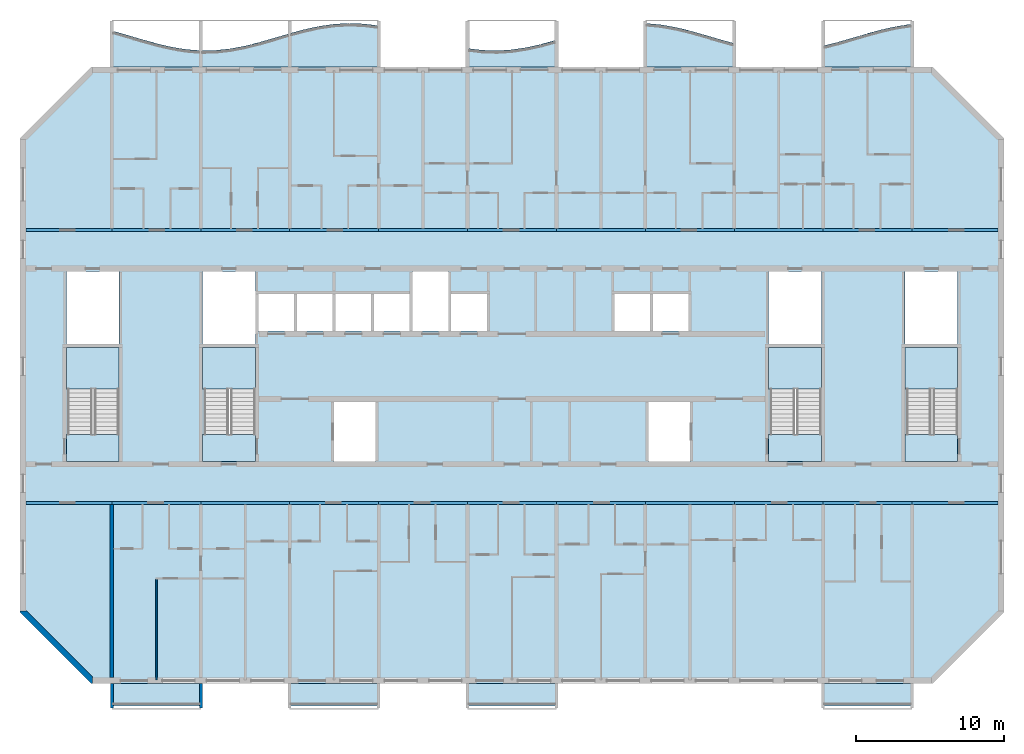
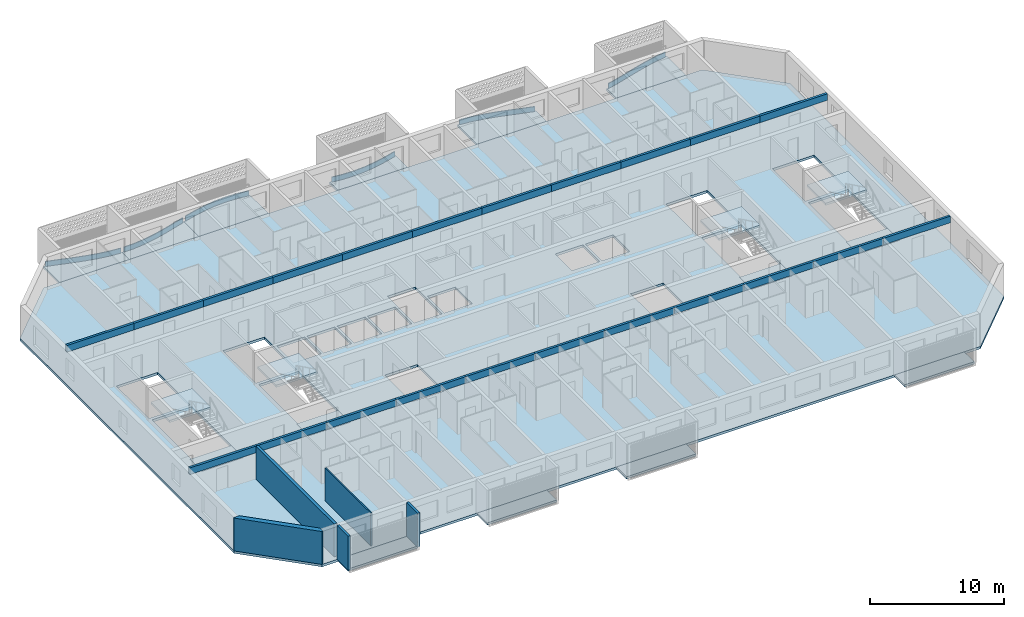
# One storey, part 1 of 27: 22 beams, 19 slabs, 6 plates, 5 walls, 4 elements without a shape of their own.
"""IFC4 building model written with IfcOpenShell, lengths in metres."""

from ifc_helpers import new_model, si_unit, direction, frame, frame_2d, origin, origin_2d, place, context, subcontext, project, spatial, polyline, rectangle, outline, extrude, source, transform, mapped, material, layer, layer_set, material_profile, profile_set, type_object, element, aggregate, save


model = new_model("IFC4")

# Units and contexts
model_context = context("Model", 3, precision=1e-05, world=origin(), true_north=direction((0.0, 1.0)))
body_context = subcontext(model_context, "Body", "Model", "MODEL_VIEW")
ifc_project = project(units=[si_unit("LENGTHUNIT", "METRE"), si_unit("AREAUNIT", "SQUARE_METRE"), si_unit("VOLUMEUNIT", "CUBIC_METRE"), si_unit("PLANEANGLEUNIT", "RADIAN"), si_unit("MASSUNIT", "GRAM", prefix="KILO")], contexts=[model_context])

# Site, building, storey
site_placement = place(None, origin())
site = spatial("IfcSite", under=ifc_project, at=site_placement, CompositionType="ELEMENT")
building_placement = place(site_placement, origin())
building = spatial("IfcBuilding", under=site, at=building_placement, Name="Poui Terraces", CompositionType="ELEMENT")
storey_placement = place(building_placement, frame((0.0, 0.0, 208.199951171875)))
storey = spatial("IfcBuildingStorey", under=building, at=storey_placement, Name="L58", CompositionType="ELEMENT", Elevation=208.199951171875)

# Beams
ifc_material_1 = material(Name="Concrete 50 MPa", Category="concrete")
ifc_material_profile = material_profile(ifc_material_1, rectangle(XDim=0.199951171875, YDim=0.60009765625, at=origin_2d()), Name="RC 200x600")
ifc_profile_set = profile_set([ifc_material_profile], Name="Concrete 50 MPa")
beam_type = type_object("IfcBeamType", Name="COUPLING BEAM 200x600 50MPa", PredefinedType="BEAM", material=ifc_profile_set)
shared_shape_1 = source(origin(), body_context, "Body", "SweptSolid", [
    extrude(rectangle(XDim=0.199951171875, YDim=0.60009765625, at=origin_2d()), origin(), (0.0, 0.0, 1.0), 5.800048828125),
])
for number, where, z_axis, x_axis, name in (
    (1, (18.199951171875, 12.0, 2.699951171875), (1.0, 0.0, 0.0), (0.0, 1.0, 0.0), "COUPLING BEAM LINE B BAY 1"),
    (2, (78.0, 12.0, 2.699951171875), (1.0, 0.0, 0.0), (0.0, 1.0, 0.0), "COUPLING BEAM LINE B BAY 11"),
    (3, (18.199951171875, 30.39990234375, 2.699951171875), (1.0, 0.0, 0.0), (0.0, 1.0, 0.0), "COUPLING BEAM LINE E BAY 1"),
    (4, (78.0, 30.39990234375, 2.699951171875), (1.0, 0.0, 0.0), (0.0, 1.0, 0.0), "COUPLING BEAM LINE E BAY 11"),
):
    element("IfcBeam", number, at=place(storey_placement, frame(where, z_axis=z_axis, x_axis=x_axis)), inside=storey, type_object=beam_type, Name=name, PredefinedType="BEAM", context=body_context, shape_type="MappedRepresentation", body=[
        mapped(shared_shape_1, transform((0.0, 0.0, 0.0))),
    ])
shared_shape_2 = source(origin(), body_context, "Body", "SweptSolid", [
    extrude(rectangle(XDim=0.199951171875, YDim=0.60009765625, at=origin_2d()), origin(), (0.0, 0.0, 1.0), 6.0),
])
for number, where, z_axis, x_axis, name in (
    (5, (24.0, 12.0, 2.699951171875), (1.0, 0.0, 0.0), (0.0, 1.0, 0.0), "COUPLING BEAM LINE B BAY 2"),
    (6, (30.0, 12.0, 2.699951171875), (1.0, 0.0, 0.0), (0.0, 1.0, 0.0), "COUPLING BEAM LINE B BAY 3"),
    (7, (36.0, 12.0, 2.699951171875), (1.0, 0.0, 0.0), (0.0, 1.0, 0.0), "COUPLING BEAM LINE B BAY 4"),
    (8, (42.0, 12.0, 2.699951171875), (1.0, 0.0, 0.0), (0.0, 1.0, 0.0), "COUPLING BEAM LINE B BAY 5"),
    (9, (48.0, 12.0, 2.699951171875), (1.0, 0.0, 0.0), (0.0, 1.0, 0.0), "COUPLING BEAM LINE B BAY 6"),
    (10, (54.0, 12.0, 2.699951171875), (1.0, 0.0, 0.0), (0.0, 1.0, 0.0), "COUPLING BEAM LINE B BAY 7"),
    (11, (60.0, 12.0, 2.699951171875), (1.0, 0.0, 0.0), (0.0, 1.0, 0.0), "COUPLING BEAM LINE B BAY 8"),
    (12, (66.0, 12.0, 2.699951171875), (1.0, 0.0, 0.0), (0.0, 1.0, 0.0), "COUPLING BEAM LINE B BAY 9"),
    (13, (72.0, 12.0, 2.699951171875), (1.0, 0.0, 0.0), (0.0, 1.0, 0.0), "COUPLING BEAM LINE B BAY 10"),
    (14, (24.0, 30.39990234375, 2.699951171875), (1.0, 0.0, 0.0), (0.0, 1.0, 0.0), "COUPLING BEAM LINE E BAY 2"),
    (15, (30.0, 30.39990234375, 2.699951171875), (1.0, 0.0, 0.0), (0.0, 1.0, 0.0), "COUPLING BEAM LINE E BAY 3"),
    (16, (36.0, 30.39990234375, 2.699951171875), (1.0, 0.0, 0.0), (0.0, 1.0, 0.0), "COUPLING BEAM LINE E BAY 4"),
    (17, (42.0, 30.39990234375, 2.699951171875), (1.0, 0.0, 0.0), (0.0, 1.0, 0.0), "COUPLING BEAM LINE E BAY 5"),
    (18, (48.0, 30.39990234375, 2.699951171875), (1.0, 0.0, 0.0), (0.0, 1.0, 0.0), "COUPLING BEAM LINE E BAY 6"),
    (19, (54.0, 30.39990234375, 2.699951171875), (1.0, 0.0, 0.0), (0.0, 1.0, 0.0), "COUPLING BEAM LINE E BAY 7"),
    (20, (60.0, 30.39990234375, 2.699951171875), (1.0, 0.0, 0.0), (0.0, 1.0, 0.0), "COUPLING BEAM LINE E BAY 8"),
    (21, (66.0, 30.39990234375, 2.699951171875), (1.0, 0.0, 0.0), (0.0, 1.0, 0.0), "COUPLING BEAM LINE E BAY 9"),
    (22, (72.0, 30.39990234375, 2.699951171875), (1.0, 0.0, 0.0), (0.0, 1.0, 0.0), "COUPLING BEAM LINE E BAY 10"),
):
    element("IfcBeam", number, at=place(storey_placement, frame(where, z_axis=z_axis, x_axis=x_axis)), inside=storey, type_object=beam_type, Name=name, PredefinedType="BEAM", context=body_context, shape_type="MappedRepresentation", body=[
        mapped(shared_shape_2, transform((0.0, 0.0, 0.0))),
    ])

# Slabs
ifc_material_2 = material(Name="Precast concrete 40 MPa", Category="concrete")
ifc_layer_1 = layer(ifc_material_2, 0.199951171875)
ifc_layer_set_1 = layer_set([ifc_layer_1], Name="Precast concrete 40 MPa")
slab_type_1 = type_object("IfcSlabType", Name="BALCONY SLAB 200", PredefinedType="FLOOR", material=ifc_layer_set_1)
slab_1_placement = place(storey_placement, frame((0.0, 0.0, -0.199951171875)))
element("IfcSlab", 23, at=slab_1_placement, inside=storey, type_object=slab_type_1, Name="BALCONY SLAB", PredefinedType="FLOOR", context=body_context, shape_type="SweptSolid", body=[
    extrude(outline(polyline([(24.0, 41.39990234375), (30.0, 41.39990234375), (30.0, 42.50537109375), (29.0, 42.583984375), (28.0, 42.749267578125), (27.0, 42.984130859375), (26.0, 43.264404296875), (25.0, 43.56103515625), (24.0, 43.84375), (24.0, 41.39990234375)])), origin(), (0.0, 0.0, 1.0), 0.199951171875),
])
slab_2_placement = place(storey_placement, frame((0.0, 0.0, -0.199951171875)))
element("IfcSlab", 24, at=slab_2_placement, inside=storey, type_object=slab_type_1, Name="BALCONY SLAB", PredefinedType="FLOOR", context=body_context, shape_type="SweptSolid", body=[
    extrude(outline(polyline([(30.0, 41.39990234375), (36.0, 41.39990234375), (36.0, 43.658447265625), (35.0, 43.363037109375), (34.0, 43.073974609375), (33.0, 42.821044921875), (32.0, 42.630126953125), (31.0, 42.521240234375), (30.0, 42.50537109375), (30.0, 41.39990234375)])), origin(), (0.0, 0.0, 1.0), 0.199951171875),
])
slab_3_placement = place(storey_placement, frame((0.0, 0.0, -0.199951171875)))
element("IfcSlab", 25, at=slab_3_placement, inside=storey, type_object=slab_type_1, Name="BALCONY SLAB", PredefinedType="FLOOR", context=body_context, shape_type="SweptSolid", body=[
    extrude(outline(polyline([(36.0, 41.39990234375), (42.0, 41.39990234375), (42.0, 44.17919921875), (41.0, 44.309814453125), (40.0, 44.349609375), (39.0, 44.294189453125), (38.0, 44.1494140625), (37.0, 43.9296875), (36.0, 43.658447265625), (36.0, 41.39990234375)])), origin(), (0.0, 0.0, 1.0), 0.199951171875),
])
slab_4_placement = place(storey_placement, frame((0.0, 0.0, -0.199951171875)))
element("IfcSlab", 26, at=slab_4_placement, inside=storey, type_object=slab_type_1, Name="BALCONY SLAB", PredefinedType="FLOOR", context=body_context, shape_type="SweptSolid", body=[
    extrude(outline(polyline([(48.0, 41.39990234375), (54.0, 41.39990234375), (54.0, 43.2158203125), (53.0, 42.941162109375), (52.0, 42.71630859375), (51.0, 42.564697265625), (50.0, 42.501220703125), (49.0, 42.533203125), (48.0, 42.65673828125), (48.0, 41.39990234375)])), origin(), (0.0, 0.0, 1.0), 0.199951171875),
])
slab_5_placement = place(storey_placement, frame((0.0, 0.0, -0.199951171875)))
element("IfcSlab", 27, at=slab_5_placement, inside=storey, type_object=slab_type_1, Name="BALCONY SLAB", PredefinedType="FLOOR", context=body_context, shape_type="SweptSolid", body=[
    extrude(outline(polyline([(60.0, 41.39990234375), (66.0, 41.39990234375), (66.0, 42.984130859375), (65.0, 43.264404296875), (64.0, 43.56103515625), (63.0, 43.84375), (62.0, 44.08349609375), (61.0, 44.25537109375), (60.0, 44.341796875), (60.0, 41.39990234375)])), origin(), (0.0, 0.0, 1.0), 0.199951171875),
])
slab_6_placement = place(storey_placement, frame((0.0, 0.0, -0.199951171875)))
element("IfcSlab", 28, at=slab_6_placement, inside=storey, type_object=slab_type_1, Name="BALCONY SLAB", PredefinedType="FLOOR", context=body_context, shape_type="SweptSolid", body=[
    extrude(outline(polyline([(72.0, 41.39990234375), (78.0, 41.39990234375), (78.0, 44.294189453125), (77.0, 44.1494140625), (76.0, 43.9296875), (75.0, 43.658447265625), (74.0, 43.363037109375), (73.0, 43.073974609375), (72.0, 42.821044921875), (72.0, 41.39990234375)])), origin(), (0.0, 0.0, 1.0), 0.199951171875),
])

# Stair, slabs
stair_type = type_object("IfcStairType", Name="EXIT STAIR 1650 50 MPA", PredefinedType="HALF_TURN_STAIR", material=ifc_material_1)
stair_1_placement = place(storey_placement, origin())
stair_1 = element("IfcStair", 29, at=stair_1_placement, inside=storey, type_object=stair_type, Name="L58 CORE STAIR EAST", PredefinedType="HALF_TURN_STAIR")
ifc_layer_2 = layer(ifc_material_1, 0.199951171875)
ifc_layer_set_2 = layer_set([ifc_layer_2], Name="Concrete 50 MPa")
slab_type_2 = type_object("IfcSlabType", Name="STAIR LANDING 200 50 MPA", PredefinedType="LANDING", material=ifc_layer_set_2)
slab_7_placement = place(storey_placement, frame((0.0, 0.0, 1.449951171875)))
slab_7 = element("IfcSlab", 30, at=slab_7_placement, type_object=slab_type_2, Name="ST-CE landing 1", PredefinedType="LANDING", context=body_context, shape_type="SweptSolid", body=[
    extrude(outline(polyline([(68.324951171875, 19.679931640625), (71.875, 19.679931640625), (71.875, 22.47509765625), (68.324951171875, 22.47509765625), (68.324951171875, 19.679931640625)])), origin(), (0.0, 0.0, 1.0), 0.2001953125),
])
slab_8_placement = place(storey_placement, frame((0.0, 0.0, -0.199951171875)))
slab_8 = element("IfcSlab", 31, at=slab_8_placement, type_object=slab_type_2, Name="ST-CE landing 2", PredefinedType="LANDING", context=body_context, shape_type="SweptSolid", body=[
    extrude(outline(polyline([(68.324951171875, 14.800048828125), (71.875, 14.800048828125), (71.875, 16.60009765625), (68.324951171875, 16.60009765625), (68.324951171875, 14.800048828125)])), origin(), (0.0, 0.0, 1.0), 0.199951171875),
])
aggregate(stair_1, [slab_7, slab_8])

stair_2_placement = place(storey_placement, origin())
stair_2 = element("IfcStair", 32, at=stair_2_placement, inside=storey, type_object=stair_type, Name="L58 CORE STAIR WEST", PredefinedType="HALF_TURN_STAIR")
slab_9_placement = place(storey_placement, frame((0.0, 0.0, 1.449951171875)))
slab_9 = element("IfcSlab", 33, at=slab_9_placement, type_object=slab_type_2, Name="ST-CW landing 1", PredefinedType="LANDING", context=body_context, shape_type="SweptSolid", body=[
    extrude(outline(polyline([(30.125, 19.679931640625), (33.675048828125, 19.679931640625), (33.675048828125, 22.47509765625), (30.125, 22.47509765625), (30.125, 19.679931640625)])), origin(), (0.0, 0.0, 1.0), 0.2001953125),
])
slab_10_placement = place(storey_placement, frame((0.0, 0.0, -0.199951171875)))
slab_10 = element("IfcSlab", 34, at=slab_10_placement, type_object=slab_type_2, Name="ST-CW landing 2", PredefinedType="LANDING", context=body_context, shape_type="SweptSolid", body=[
    extrude(outline(polyline([(30.125, 14.800048828125), (33.675048828125, 14.800048828125), (33.675048828125, 16.60009765625), (30.125, 16.60009765625), (30.125, 14.800048828125)])), origin(), (0.0, 0.0, 1.0), 0.199951171875),
])
aggregate(stair_2, [slab_9, slab_10])

stair_3_placement = place(storey_placement, origin())
stair_3 = element("IfcStair", 35, at=stair_3_placement, inside=storey, type_object=stair_type, Name="L58 TIP STAIR EAST", PredefinedType="HALF_TURN_STAIR")
slab_11_placement = place(storey_placement, frame((0.0, 0.0, 1.449951171875)))
slab_11 = element("IfcSlab", 36, at=slab_11_placement, type_object=slab_type_2, Name="ST-E landing 1", PredefinedType="LANDING", context=body_context, shape_type="SweptSolid", body=[
    extrude(outline(polyline([(77.52490234375, 19.679931640625), (81.074951171875, 19.679931640625), (81.074951171875, 22.47509765625), (77.52490234375, 22.47509765625), (77.52490234375, 19.679931640625)])), origin(), (0.0, 0.0, 1.0), 0.2001953125),
])
slab_12_placement = place(storey_placement, frame((0.0, 0.0, -0.199951171875)))
slab_12 = element("IfcSlab", 37, at=slab_12_placement, type_object=slab_type_2, Name="ST-E landing 2", PredefinedType="LANDING", context=body_context, shape_type="SweptSolid", body=[
    extrude(outline(polyline([(77.52490234375, 14.800048828125), (81.074951171875, 14.800048828125), (81.074951171875, 16.60009765625), (77.52490234375, 16.60009765625), (77.52490234375, 14.800048828125)])), origin(), (0.0, 0.0, 1.0), 0.199951171875),
])
aggregate(stair_3, [slab_11, slab_12])

stair_4_placement = place(storey_placement, origin())
stair_4 = element("IfcStair", 38, at=stair_4_placement, inside=storey, type_object=stair_type, Name="L58 TIP STAIR WEST", PredefinedType="HALF_TURN_STAIR")
slab_13_placement = place(storey_placement, frame((0.0, 0.0, 1.449951171875)))
slab_13 = element("IfcSlab", 39, at=slab_13_placement, type_object=slab_type_2, Name="ST-W landing 1", PredefinedType="LANDING", context=body_context, shape_type="SweptSolid", body=[
    extrude(outline(polyline([(20.925048828125, 19.679931640625), (24.47509765625, 19.679931640625), (24.47509765625, 22.47509765625), (20.925048828125, 22.47509765625), (20.925048828125, 19.679931640625)])), origin(), (0.0, 0.0, 1.0), 0.2001953125),
])
slab_14_placement = place(storey_placement, frame((0.0, 0.0, -0.199951171875)))
slab_14 = element("IfcSlab", 40, at=slab_14_placement, type_object=slab_type_2, Name="ST-W landing 2", PredefinedType="LANDING", context=body_context, shape_type="SweptSolid", body=[
    extrude(outline(polyline([(20.925048828125, 14.800048828125), (24.47509765625, 14.800048828125), (24.47509765625, 16.60009765625), (20.925048828125, 16.60009765625), (20.925048828125, 14.800048828125)])), origin(), (0.0, 0.0, 1.0), 0.199951171875),
])
aggregate(stair_4, [slab_13, slab_14])

# Plates
ifc_layer_3 = layer(ifc_material_2, 0.080078125)
ifc_layer_set_3 = layer_set([ifc_layer_3], Name="Precast concrete 40 MPa")
plate_type = type_object("IfcPlateType", Name="SUNSHADE UPSTAND 80", PredefinedType="SHEET", material=ifc_layer_set_3)
plate_1_placement = place(storey_placement, origin())
element("IfcPlate", 41, at=plate_1_placement, inside=storey, type_object=plate_type, Name="SUNSHADE UPSTAND", PredefinedType="SHEET", context=body_context, shape_type="SweptSolid", body=[
    extrude(outline(polyline([(25.01123046875, 43.554443359375), (24.135986328125, 43.8037109375), (24.114013671875, 43.726806640625), (24.98876953125, 43.477783203125), (25.989013671875, 43.180908203125), (26.989990234375, 42.900390625), (27.9921875, 42.6650390625), (28.9951171875, 42.499267578125), (29.87158203125, 42.42529296875), (29.87841796875, 42.5048828125), (29.0048828125, 42.578857421875), (28.0078125, 42.74365234375), (27.010009765625, 42.977783203125), (26.010986328125, 43.2578125), (25.01123046875, 43.554443359375)])), origin(), (0.0, 0.0, 1.0), 0.449951171875),
])
plate_2_placement = place(storey_placement, origin())
element("IfcPlate", 42, at=plate_2_placement, inside=storey, type_object=plate_type, Name="SUNSHADE UPSTAND", PredefinedType="SHEET", context=body_context, shape_type="SweptSolid", body=[
    extrude(outline(polyline([(30.997314453125, 42.51611328125), (30.1240234375, 42.4970703125), (30.1259765625, 42.4169921875), (31.002685546875, 42.436279296875), (32.005859375, 42.545654296875), (33.0087890625, 42.73681640625), (34.010498046875, 42.990234375), (35.01123046875, 43.279541015625), (35.886474609375, 43.538818359375), (35.863525390625, 43.615478515625), (34.98876953125, 43.356201171875), (33.989501953125, 43.0673828125), (32.9912109375, 42.81494140625), (31.994140625, 42.624755859375), (30.997314453125, 42.51611328125)])), origin(), (0.0, 0.0, 1.0), 0.449951171875),
])
plate_3_placement = place(storey_placement, origin())
element("IfcPlate", 43, at=plate_3_placement, inside=storey, type_object=plate_type, Name="SUNSHADE UPSTAND", PredefinedType="SHEET", context=body_context, shape_type="SweptSolid", body=[
    extrude(outline(polyline([(36.990478515625, 43.923583984375), (36.114501953125, 43.68798828125), (36.135498046875, 43.610595703125), (37.009521484375, 43.845947265625), (38.007080078125, 44.06494140625), (39.00390625, 44.20947265625), (40.000244140625, 44.2646484375), (40.99658203125, 44.22509765625), (41.8701171875, 44.115478515625), (41.8798828125, 44.19482421875), (41.00341796875, 44.3046875), (39.999755859375, 44.3447265625), (38.99609375, 44.2890625), (37.992919921875, 44.143798828125), (36.990478515625, 43.923583984375)])), origin(), (0.0, 0.0, 1.0), 0.449951171875),
])
plate_4_placement = place(storey_placement, origin())
element("IfcPlate", 44, at=plate_4_placement, inside=storey, type_object=plate_type, Name="SUNSHADE UPSTAND", PredefinedType="SHEET", context=body_context, shape_type="SweptSolid", body=[
    extrude(outline(polyline([(49.0029296875, 42.528076171875), (48.129638671875, 42.63134765625), (48.120361328125, 42.552001953125), (48.9970703125, 42.4482421875), (50.00048828125, 42.416259765625), (51.00439453125, 42.479736328125), (52.00732421875, 42.632080078125), (53.009521484375, 42.857421875), (53.885498046875, 43.095947265625), (53.864501953125, 43.173095703125), (52.990478515625, 42.93505859375), (51.99267578125, 42.710693359375), (50.99560546875, 42.559326171875), (49.99951171875, 42.496337890625), (49.0029296875, 42.528076171875)])), origin(), (0.0, 0.0, 1.0), 0.449951171875),
])
plate_5_placement = place(storey_placement, origin())
element("IfcPlate", 45, at=plate_5_placement, inside=storey, type_object=plate_type, Name="SUNSHADE UPSTAND", PredefinedType="SHEET", context=body_context, shape_type="SweptSolid", body=[
    extrude(outline(polyline([(61.005126953125, 44.25), (60.166259765625, 44.327392578125), (60.128662109375, 44.33056640625), (60.121337890625, 44.251220703125), (60.994873046875, 44.170654296875), (61.991943359375, 43.999267578125), (62.989990234375, 43.760009765625), (63.989013671875, 43.477783203125), (64.989013671875, 43.180908203125), (65.864013671875, 42.933837890625), (65.885986328125, 43.0107421875), (65.010986328125, 43.2578125), (64.010986328125, 43.554443359375), (63.010009765625, 43.83740234375), (62.008056640625, 44.07763671875), (61.005126953125, 44.25)])), origin(), (0.0, 0.0, 1.0), 0.449951171875),
])
plate_6_placement = place(storey_placement, origin())
element("IfcPlate", 46, at=plate_6_placement, inside=storey, type_object=plate_type, Name="SUNSHADE UPSTAND", PredefinedType="SHEET", context=body_context, shape_type="SweptSolid", body=[
    extrude(outline(polyline([(72.989501953125, 43.0673828125), (72.114990234375, 42.843505859375), (72.135009765625, 42.765869140625), (73.010498046875, 42.990234375), (74.01123046875, 43.279541015625), (75.010986328125, 43.574951171875), (76.009521484375, 43.845947265625), (77.00732421875, 44.06494140625), (77.880859375, 44.1962890625), (77.869140625, 44.275146484375), (77.8525390625, 44.272705078125), (76.99267578125, 44.143798828125), (75.990478515625, 43.923583984375), (74.989013671875, 43.65185546875), (73.98876953125, 43.356201171875), (72.989501953125, 43.0673828125)])), origin(), (0.0, 0.0, 1.0), 0.449951171875),
])

# Slabs
ifc_material_3 = material(Name="Concrete 40 MPa", Category="concrete")
ifc_layer_4 = layer(ifc_material_3, 0.219970703125)
ifc_layer_set_4 = layer_set([ifc_layer_4], Name="Concrete 40 MPa")
slab_type_3 = type_object("IfcSlabType", Name="FLOOR SLAB 220", PredefinedType="FLOOR", material=ifc_layer_set_4)
shared_shape_3 = source(origin(), body_context, "Body", "SweptSolid", [
    extrude(outline(polyline([(0.0, 0.0), (4.800048828125, -4.800048828125), (61.599853515625, -4.800048828125), (66.39990234375, 0.0), (66.39990234375, 32.0), (61.599853515625, 36.7998046875), (4.800048828125, 36.7998046875), (0.0, 32.0), (0.0, 0.0)]), holes=[polyline([(21.199951171875, 10.199951171875), (21.199951171875, 14.199951171875), (24.0, 14.199951171875), (24.0, 10.199951171875), (21.199951171875, 10.199951171875)]), polyline([(3.224853515625, 17.849853515625), (6.675048828125, 17.849853515625), (6.675048828125, 12.0), (6.675048828125, 10.199951171875), (3.125, 10.199951171875), (3.125, 12.0), (3.224853515625, 12.0), (3.224853515625, 17.849853515625)]), polyline([(12.425048828125, 17.849853515625), (15.875, 17.849853515625), (15.875, 12.0), (15.875, 10.199951171875), (12.324951171875, 10.199951171875), (12.324951171875, 12.0), (12.425048828125, 12.0), (12.425048828125, 17.849853515625)]), polyline([(16.099853515625, 19.0), (16.099853515625, 21.5), (18.5, 21.5), (18.5, 19.0), (16.099853515625, 19.0)]), polyline([(18.699951171875, 19.0), (18.699951171875, 21.5), (21.099853515625, 21.5), (21.099853515625, 19.0), (18.699951171875, 19.0)]), polyline([(21.300048828125, 19.0), (21.300048828125, 21.5), (23.699951171875, 21.5), (23.699951171875, 19.0), (21.300048828125, 19.0)]), polyline([(23.89990234375, 19.0), (23.89990234375, 21.5), (26.300048828125, 21.5), (26.300048828125, 19.0), (23.89990234375, 19.0)]), polyline([(3.125, 23.0), (6.675048828125, 23.0), (6.675048828125, 18.125), (3.125, 18.125), (3.125, 23.0)]), polyline([(12.324951171875, 23.0), (15.875, 23.0), (15.875, 18.125), (12.324951171875, 18.125), (12.324951171875, 23.0)]), polyline([(42.39990234375, 10.199951171875), (42.39990234375, 14.199951171875), (45.199951171875, 14.199951171875), (45.199951171875, 10.199951171875), (42.39990234375, 10.199951171875)]), polyline([(50.625, 17.849853515625), (54.074951171875, 17.849853515625), (54.074951171875, 12.0), (54.074951171875, 10.199951171875), (50.52490234375, 10.199951171875), (50.52490234375, 12.0), (50.625, 12.0), (50.625, 17.849853515625)]), polyline([(59.824951171875, 17.849853515625), (63.27490234375, 17.849853515625), (63.27490234375, 12.0), (63.27490234375, 10.199951171875), (59.724853515625, 10.199951171875), (59.724853515625, 12.0), (59.824951171875, 12.0), (59.824951171875, 17.849853515625)]), polyline([(29.099853515625, 19.0), (29.099853515625, 21.5), (31.5, 21.5), (31.5, 19.0), (29.099853515625, 19.0)]), polyline([(40.099853515625, 19.0), (40.099853515625, 21.5), (42.5, 21.5), (42.5, 19.0), (40.099853515625, 19.0)]), polyline([(42.699951171875, 19.0), (42.699951171875, 21.5), (45.099853515625, 21.5), (45.099853515625, 19.0), (42.699951171875, 19.0)]), polyline([(50.52490234375, 18.125), (50.52490234375, 23.0), (54.074951171875, 23.0), (54.074951171875, 18.125), (50.52490234375, 18.125)]), polyline([(59.724853515625, 23.0), (63.27490234375, 23.0), (63.27490234375, 18.125), (59.724853515625, 18.125), (59.724853515625, 23.0)]), polyline([(26.5, 23.0), (28.89990234375, 23.0), (28.89990234375, 19.0), (26.5, 19.0), (26.5, 23.0)])]), origin(), (0.0, 0.0, 1.0), 0.219970703125),
])
slab_15_placement = place(storey_placement, frame((17.800048828125, 4.60009765625, -0.219970703125)))
element("IfcSlab", 47, at=slab_15_placement, inside=storey, type_object=slab_type_3, Name="FLOOR SLAB", PredefinedType="FLOOR", context=body_context, shape_type="MappedRepresentation", body=[
    mapped(shared_shape_3, transform((0.0, 0.0, 0.0))),
])
ifc_layer_5 = layer(ifc_material_2, 0.199951171875)
ifc_layer_set_5 = layer_set([ifc_layer_5], Name="Precast concrete 40 MPa")
slab_type_4 = type_object("IfcSlabType", Name="REAR BALCONY SLAB 200", PredefinedType="FLOOR", material=ifc_layer_set_5)
shared_shape_4 = source(origin(), body_context, "Body", "SweptSolid", [
    extrude(outline(polyline([(0.0, 0.0), (6.0, 0.0), (6.0, 1.5), (0.0, 1.5), (0.0, 0.0)])), origin(), (0.0, 0.0, 1.0), 0.199951171875),
])
for number, where, name in (
    (48, (24.0, -1.699951171875, -0.199951171875), "REAR BALCONY SLAB"),
    (49, (36.0, -1.699951171875, -0.199951171875), "REAR BALCONY SLAB"),
    (50, (48.0, -1.699951171875, -0.199951171875), "REAR BALCONY SLAB"),
    (51, (72.0, -1.699951171875, -0.199951171875), "REAR BALCONY SLAB"),
):
    element("IfcSlab", number, at=place(storey_placement, frame(where)), inside=storey, type_object=slab_type_4, Name=name, PredefinedType="FLOOR", context=body_context, shape_type="MappedRepresentation", body=[
        mapped(shared_shape_4, transform((0.0, 0.0, 0.0))),
    ])

# Walls
ifc_layer_6 = layer(ifc_material_1, 0.25)
ifc_layer_set_6 = layer_set([ifc_layer_6], Name="Concrete 50 MPa")
wall_type_1 = type_object("IfcWallType", Name="CROSS WALL 250 50MPa", PredefinedType="SHEAR", material=ifc_layer_set_6)
wall_1_placement = place(storey_placement, frame((24.0, 0.199951171875, 0.0), z_axis=(0.0, 0.0, 1.0), x_axis=(0.0, 1.0, 0.0)))
element("IfcWall", 52, at=wall_1_placement, inside=storey, type_object=wall_type_1, Name="CROSS WALL LINE 5 SOUTH", PredefinedType="SHEAR", context=body_context, shape_type="SweptSolid", body=[
    extrude(rectangle(XDim=11.699951171875, YDim=0.25, at=frame_2d((5.85009765625, 0.0))), origin(), (0.0, 0.0, 1.0), 3.0),
])
ifc_material_4 = material(Name="Plasterboard partition")
ifc_layer_7 = layer(ifc_material_4, 0.10009765625)
ifc_layer_set_7 = layer_set([ifc_layer_7], Name="Plasterboard partition")
wall_type_2 = type_object("IfcWallType", Name="FLAT PARTITION 100", PredefinedType="PARTITIONING", material=ifc_layer_set_7)
wall_2_placement = place(storey_placement, frame((27.0, 0.06005859375, 0.0), z_axis=(0.0, 0.0, 1.0), x_axis=(0.0, 1.0, 0.0)))
element("IfcWall", 53, at=wall_2_placement, inside=storey, type_object=wall_type_2, Name="FLAT PARTITION 100", PredefinedType="PARTITIONING", context=body_context, shape_type="SweptSolid", body=[
    extrude(rectangle(XDim=6.7900390625, YDim=0.10009765625, at=frame_2d((3.39501953125, 0.0))), origin(), (0.0, 0.0, 1.0), 3.0),
])
ifc_layer_8 = layer(ifc_material_2, 0.39990234375)
ifc_layer_set_8 = layer_set([ifc_layer_8], Name="Precast concrete 40 MPa")
wall_type_3 = type_object("IfcWallType", Name="TERRACOTTA CLAD CHAMFER WALL 400", PredefinedType="STANDARD", material=ifc_layer_set_8)
wall_3_placement = place(storey_placement, origin())
element("IfcWall", 54, at=wall_3_placement, inside=storey, type_object=wall_type_3, Name="CHAMFER WALL CH07", PredefinedType="STANDARD", context=body_context, shape_type="SweptSolid", body=[
    extrude(outline(polyline([(17.800048828125, 4.682861328125), (17.800048828125, 4.60009765625), (22.60009765625, -0.199951171875), (22.682861328125, -0.199951171875), (22.682861328125, 0.28271484375), (18.28271484375, 4.682861328125), (17.800048828125, 4.682861328125)])), origin(), (0.0, 0.0, 1.0), 3.0),
])
ifc_layer_9 = layer(ifc_material_2, 0.199951171875)
ifc_layer_set_9 = layer_set([ifc_layer_9], Name="Precast concrete 40 MPa")
wall_type_4 = type_object("IfcWallType", Name="REAR FIN 200", PredefinedType="STANDARD", material=ifc_layer_set_9)
shared_shape_5 = source(origin(), body_context, "Body", "SweptSolid", [
    extrude(outline(polyline([(0.0, 0.0), (0.2001953125, 0.0), (0.2001953125, 1.650146484375), (0.0, 1.650146484375), (0.0, 0.0)])), origin(), (0.0, 0.0, 1.0), 3.10009765625),
])
for number, where, name in (
    (55, (23.89990234375, -1.85009765625, 0.0), "REAR FIN"),
    (56, (29.89990234375, -1.85009765625, 0.0), "REAR FIN"),
):
    element("IfcWall", number, at=place(storey_placement, frame(where)), inside=storey, type_object=wall_type_4, Name=name, PredefinedType="STANDARD", context=body_context, shape_type="MappedRepresentation", body=[
        mapped(shared_shape_5, transform((0.0, 0.0, 0.0))),
    ])

save(model, "model.ifc")
